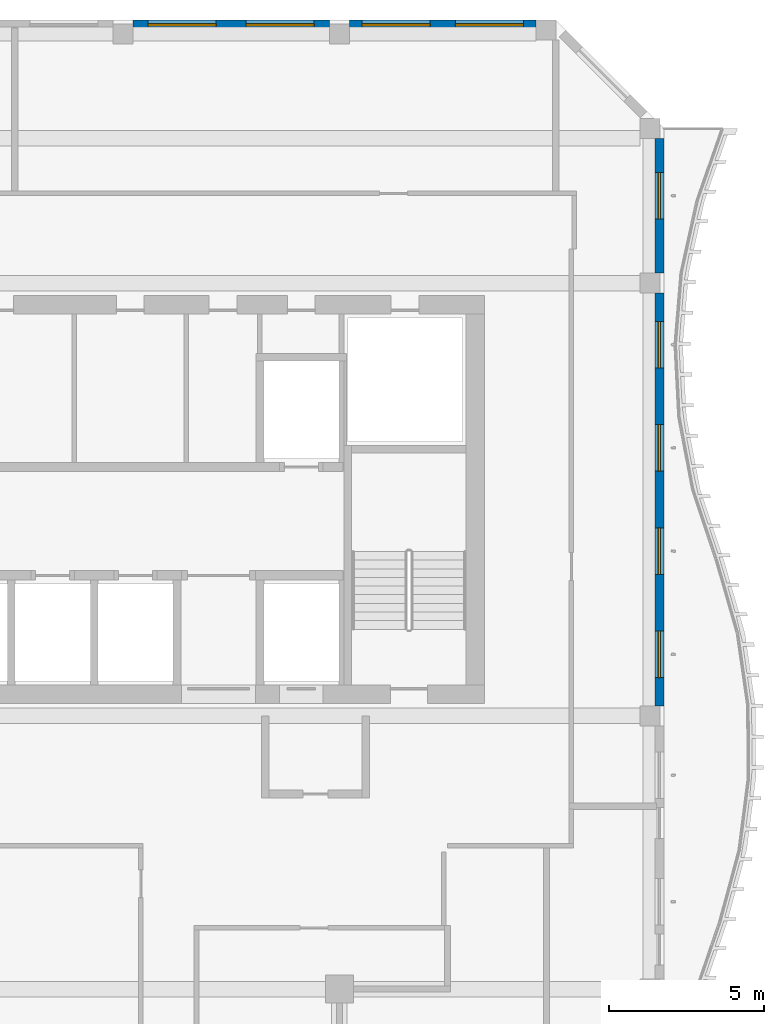
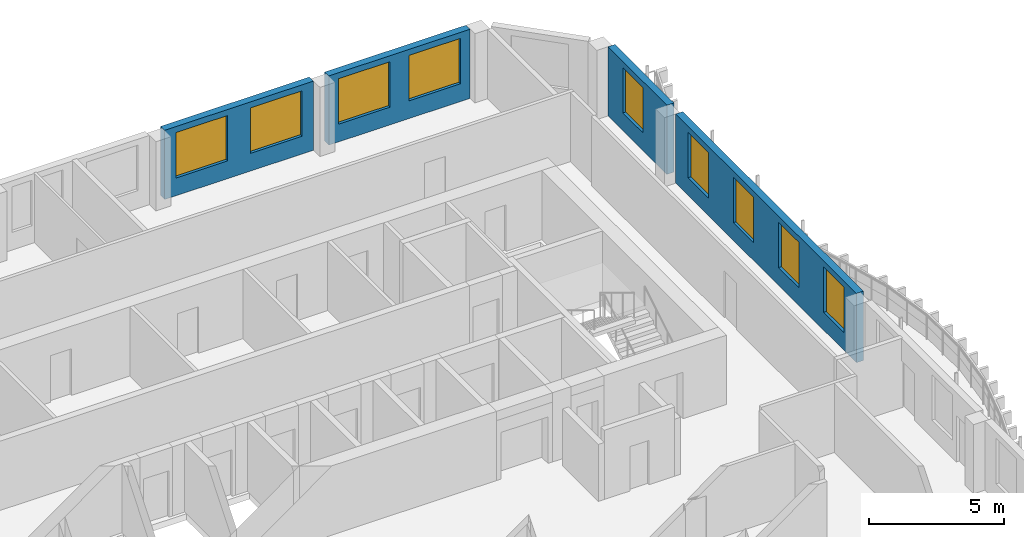
# One storey, part 9 of 16: 9 windows, 4 walls, 9 openings.
"""IFC4 building model written with IfcOpenShell, lengths in metres."""

import ifcopenshell
import ifcopenshell.guid

model = None  # the IFC model being written
_history = None  # IfcOwnerHistory: only IFC2X3 demands one
_inside = {}  # id of a spatial element -> (the spatial element, [elements in it])
_under = {}  # id of a project, library or spatial element -> (it, [spatial elements below it])
_declared = {}  # id of a project -> (the project, [libraries it declares])
_typed = {}  # id of a type object -> (the type object, [elements of that type])
_made_of = {}  # id of a material, layer set ... -> (it, [elements and type objects made of it])


def new_model(schema):
    """Start an empty IFC model of exactly this schema.

    Asked for "IFC4X3", IfcOpenShell would pick the latest addendum, in which some entities
    have other attributes; the version numbers below select the first issue.
    IFC2X3 requires an IfcOwnerHistory on every rooted entity: one is made here for all.
    """
    global model, _history
    if schema == "IFC4X3":
        model = ifcopenshell.file(schema_version=(4, 3, 0, 0))
    else:
        model = ifcopenshell.file(schema=schema)
    _inside.clear()
    _under.clear()
    _declared.clear()
    _typed.clear()
    _made_of.clear()
    _history = None
    if model.schema == "IFC2X3":
        org = make("IfcOrganization", Name="unknown")
        user = make(
            "IfcPersonAndOrganization",
            ThePerson=make("IfcPerson", FamilyName="unknown"),
            TheOrganization=org,
        )
        app = make(
            "IfcApplication",
            ApplicationDeveloper=org,
            Version="unknown",
            ApplicationFullName="unknown",
            ApplicationIdentifier="unknown",
        )
        _history = make(
            "IfcOwnerHistory",
            OwningUser=user,
            OwningApplication=app,
            ChangeAction="ADDED",
            CreationDate=0,
        )
    return model


def make(cls, **values):
    """One entity of the class cls with the attributes given. An attribute that is None is left unset."""
    return model.create_entity(
        cls, **{name: value for name, value in values.items() if value is not None}
    )


def rooted(cls, **values):
    """An entity with a GlobalId (a new one), such as an element, a storey or a relation."""
    return make(cls, GlobalId=ifcopenshell.guid.new(), OwnerHistory=_history, **values)


def si_unit(unit_type, name, prefix=None):
    """IfcSIUnit, for example si_unit("LENGTHUNIT", "METRE", prefix="MILLI")."""
    return make("IfcSIUnit", UnitType=unit_type, Prefix=prefix, Name=name)


def assignment(units):
    """IfcUnitAssignment: the units of a project."""
    return None if units is None else make("IfcUnitAssignment", Units=units)


def point(xyz):
    """IfcCartesianPoint."""
    return None if xyz is None else make("IfcCartesianPoint", Coordinates=xyz)


def direction(xyz):
    """IfcDirection."""
    return None if xyz is None else make("IfcDirection", DirectionRatios=xyz)


def frame(location, z_axis=None, x_axis=None):
    """IfcAxis2Placement3D, a coordinate frame: its origin and axes. An axis left out is left unset."""
    return make(
        "IfcAxis2Placement3D",
        Location=point(location),
        Axis=direction(z_axis),
        RefDirection=direction(x_axis),
    )


def frame_2d(location, x_axis=None):
    """IfcAxis2Placement2D, a coordinate frame in the plane: its origin and x axis."""
    return make(
        "IfcAxis2Placement2D", Location=point(location), RefDirection=direction(x_axis)
    )


def origin():
    """The frame at (0, 0, 0) with its axes left unset."""
    return frame((0.0, 0.0, 0.0))


def place(relative_to, where):
    """IfcLocalPlacement: puts the frame where relative to a parent placement (None: the world)."""
    return make(
        "IfcLocalPlacement", PlacementRelTo=relative_to, RelativePlacement=where
    )


def context(
    kind, dimensions, precision=None, world=None, true_north=None, identifier=None
):
    """IfcGeometricRepresentationContext, for example the 3D "Model" context."""
    return make(
        "IfcGeometricRepresentationContext",
        ContextIdentifier=identifier,
        ContextType=kind,
        CoordinateSpaceDimension=dimensions,
        Precision=precision,
        WorldCoordinateSystem=world,
        TrueNorth=true_north,
    )


def subcontext(parent, identifier, kind, view, scale=None):
    """IfcGeometricRepresentationSubContext, for example "Body" below "Model"."""
    return make(
        "IfcGeometricRepresentationSubContext",
        ContextIdentifier=identifier,
        ContextType=kind,
        ParentContext=parent,
        TargetScale=scale,
        TargetView=view,
    )


def project(units=None, contexts=None):
    """IfcProject with its units and contexts."""
    return rooted(
        "IfcProject",
        Name="project",
        RepresentationContexts=contexts,
        UnitsInContext=assignment(units),
    )


def spatial(cls, under=None, at=None, **own):
    """A site, building, storey or space (cls), placed at a placement, below another one or the project."""
    s = rooted(cls, ObjectPlacement=at, **own)
    if under is not None:
        _under.setdefault(under.id(), (under, []))[1].append(s)
    return s


def profile(cls, at=None, kind="AREA", **sizes):
    """A parametric profile (cls). Its sizes go by their IFC names, for example OverallWidth=200.0."""
    return make(cls, ProfileType=kind, Position=at, **sizes)


def rectangle(**sizes):
    """IfcRectangleProfileDef."""
    return profile("IfcRectangleProfileDef", **sizes)


def extrude(swept, where, along, depth):
    """IfcExtrudedAreaSolid: the profile swept, set in the frame where, extruded along a direction by depth."""
    return make(
        "IfcExtrudedAreaSolid",
        SweptArea=swept,
        Position=where,
        ExtrudedDirection=direction(along),
        Depth=depth,
    )


def shape(context_of_items, identifier, shape_type, items):
    """IfcShapeRepresentation: the items that make up one representation, for example the "Body"."""
    return make(
        "IfcShapeRepresentation",
        ContextOfItems=context_of_items,
        RepresentationIdentifier=identifier,
        RepresentationType=shape_type,
        Items=items,
    )


def source(mapping_origin, context_of_items, identifier, shape_type, items):
    """IfcRepresentationMap: a shape defined once, which mapped items show again and again."""
    return make(
        "IfcRepresentationMap",
        MappingOrigin=mapping_origin,
        MappedRepresentation=shape(context_of_items, identifier, shape_type, items),
    )


def transform(
    local_origin,
    x_axis=None,
    y_axis=None,
    z_axis=None,
    scale=None,
    scale2=None,
    scale3=None,
    uniform=True,
):
    """IfcCartesianTransformationOperator3D, or its non-uniform kind. x_axis, y_axis, z_axis: its Axis1, 2, 3."""
    if uniform:
        return make(
            "IfcCartesianTransformationOperator3D",
            Axis1=direction(x_axis),
            Axis2=direction(y_axis),
            LocalOrigin=point(local_origin),
            Scale=scale,
            Axis3=direction(z_axis),
        )
    return make(
        "IfcCartesianTransformationOperator3DnonUniform",
        Axis1=direction(x_axis),
        Axis2=direction(y_axis),
        LocalOrigin=point(local_origin),
        Scale=scale,
        Axis3=direction(z_axis),
        Scale2=scale2,
        Scale3=scale3,
    )


def mapped(mapping_source, mapping_target):
    """IfcMappedItem: shows the shape of a source again, moved by a transform."""
    return make(
        "IfcMappedItem", MappingSource=mapping_source, MappingTarget=mapping_target
    )


def material(Name=None, Category=None):
    """IfcMaterial."""
    return make("IfcMaterial", Name=Name, Category=Category)


def layer(
    of_material, thickness, ventilated=None, Name=None, Category=None, Priority=None
):
    """IfcMaterialLayer: one layer of a wall or slab, of a material (None: an air gap)."""
    return make(
        "IfcMaterialLayer",
        Material=of_material,
        LayerThickness=thickness,
        IsVentilated=ventilated,
        Name=Name,
        Category=Category,
        Priority=Priority,
    )


def layer_set(layers, Name=None):
    """IfcMaterialLayerSet."""
    return make("IfcMaterialLayerSet", MaterialLayers=layers, LayerSetName=Name)


def made_of(thing, what):
    """Note that an element or type object is made of a material, layer set ...; save() writes the relation."""
    if what is not None:
        _made_of.setdefault(what.id(), (what, []))[1].append(thing)
    return thing


def type_object(cls, material=None, **own):
    """A type object (cls), such as IfcWallType, which elements share."""
    return made_of(rooted(cls, **own), material)


def element(
    cls,
    number,
    at=None,
    inside=None,
    cuts=None,
    type_object=None,
    material=None,
    context=None,
    identifier="Body",
    shape_type=None,
    held_by="IfcProductDefinitionShape",
    body=None,
    shapes=None,
    **own,
):
    """One element of the class cls, such as IfcWall. Its Tag is "e" and its number.

    at: its placement. inside: the storey or other place that contains it. cuts: it is an
    opening in that element (IfcRelVoidsElement). A single representation is given by context,
    identifier, shape_type and body (its items); several are given by shapes. held_by: the class
    of the entity that holds the representations. save() writes the other relations.
    """
    e = rooted(cls, Tag="e%d" % number, ObjectPlacement=at, **own)
    if body is not None:
        shapes = [shape(context, identifier, shape_type, body)]
    if shapes is not None:
        e.Representation = make(held_by, Representations=shapes)
    if inside is not None:
        _inside.setdefault(inside.id(), (inside, []))[1].append(e)
    if cuts is not None:
        rooted(
            "IfcRelVoidsElement", RelatingBuildingElement=cuts, RelatedOpeningElement=e
        )
    if type_object is not None:
        _typed.setdefault(type_object.id(), (type_object, []))[1].append(e)
    return made_of(e, material)


def fill(opening, filler):
    """IfcRelFillsElement: the door or window that sits in an opening."""
    return rooted(
        "IfcRelFillsElement",
        RelatingOpeningElement=opening,
        RelatedBuildingElement=filler,
    )


def aggregate(whole, parts):
    """IfcRelAggregates: a whole, such as a stair, and the parts it consists of."""
    return rooted("IfcRelAggregates", RelatingObject=whole, RelatedObjects=parts)


def save(model, path):
    """Write the relations noted so far, then the file.

    IfcRelAggregates (storeys below a building ...), IfcRelContainedInSpatialStructure (elements
    in a storey), IfcRelDefinesByType, IfcRelAssociatesMaterial and IfcRelDeclares: one each for
    every whole, place, type object, material and project.
    """
    for whole, parts in _under.values():
        aggregate(whole, parts)
    for where, things in _inside.values():
        rooted(
            "IfcRelContainedInSpatialStructure",
            RelatedElements=things,
            RelatingStructure=where,
        )
    for kind, things in _typed.values():
        rooted("IfcRelDefinesByType", RelatedObjects=things, RelatingType=kind)
    for what, things in _made_of.values():
        rooted("IfcRelAssociatesMaterial", RelatedObjects=things, RelatingMaterial=what)
    for by, libraries in _declared.values():
        rooted("IfcRelDeclares", RelatingContext=by, RelatedDefinitions=libraries)
    model.write(path)


model = new_model("IFC4")

# Units and contexts
model_context = context("Model", 3, precision=1e-05, world=origin(), true_north=direction((0.0, 1.0)))
body_context = subcontext(model_context, "Body", "Model", "MODEL_VIEW")
ifc_project = project(units=[si_unit("LENGTHUNIT", "METRE"), si_unit("AREAUNIT", "SQUARE_METRE"), si_unit("VOLUMEUNIT", "CUBIC_METRE"), si_unit("PLANEANGLEUNIT", "RADIAN"), si_unit("MASSUNIT", "GRAM", prefix="KILO")], contexts=[model_context])

# Site, building, storey
site_placement = place(None, origin())
site = spatial("IfcSite", under=ifc_project, at=site_placement, CompositionType="ELEMENT")
building_placement = place(site_placement, origin())
building = spatial("IfcBuilding", under=site, at=building_placement, Name="Kilnfold Tower and Market Hall", CompositionType="ELEMENT")
storey_placement = place(building_placement, frame((0.0, 0.0, 284.0)))
storey = spatial("IfcBuildingStorey", under=building, at=storey_placement, Name="L70", CompositionType="ELEMENT", Elevation=284.0)

# Wall, openings, windows
ifc_material_1 = material(Name="Precast concrete C50/60", Category="concrete")
ifc_layer = layer(ifc_material_1, 0.300048828125)
ifc_layer_set = layer_set([ifc_layer], Name="Precast concrete C50/60")
wall_type = type_object("IfcWallType", Name="PRECAST WALL 300", PredefinedType="SOLIDWALL", material=ifc_layer_set)
shared_shape_1 = source(origin(), body_context, "Body", "SweptSolid", [
    extrude(rectangle(XDim=6.35009765625, YDim=0.300048828125, at=frame_2d((3.175048828125, 0.0))), origin(), (0.0, 0.0, 1.0), 3.1201171875),
])
wall_1_placement = place(storey_placement, frame((12.675048828125, 30.35009765625, 0.0), z_axis=(0.0, 0.0, 1.0), x_axis=(-1.0, 0.0, 0.0)))
wall_1 = element("IfcWall", 1, at=wall_1_placement, inside=storey, type_object=wall_type, Name="External wall L70 N", PredefinedType="SOLIDWALL", context=body_context, shape_type="MappedRepresentation", body=[
    mapped(shared_shape_1, transform((0.0, 0.0, 0.0))),
])
opening_1_placement = place(wall_1_placement, frame((0.487548828125, 0.0, 0.800048828125)))
opening_1 = element("IfcOpeningElement", 2, at=opening_1_placement, cuts=wall_1, Name="Opening W3", PredefinedType="OPENING", context=body_context, shape_type="SweptSolid", body=[
    extrude(rectangle(XDim=2.199951171875, YDim=2.050048828125, at=frame_2d((1.10009765625, 1.02490234375))), frame((0.0, 0.16015625, 0.0), z_axis=(0.0, -1.0, 0.0), x_axis=(1.0, 0.0, 0.0)), (0.0, 0.0, 1.0), 0.320068359375),
])
opening_2_placement = place(wall_1_placement, frame((3.66259765625, 0.0, 0.800048828125)))
opening_2 = element("IfcOpeningElement", 3, at=opening_2_placement, cuts=wall_1, Name="Opening W3", PredefinedType="OPENING", context=body_context, shape_type="SweptSolid", body=[
    extrude(rectangle(XDim=2.199951171875, YDim=2.050048828125, at=frame_2d((1.10009765625, 1.02490234375))), frame((0.0, 0.16015625, 0.0), z_axis=(0.0, -1.0, 0.0), x_axis=(1.0, 0.0, 0.0)), (0.0, 0.0, 1.0), 0.320068359375),
])
ifc_material_2 = material(Name="Aluminium frame and double glazing", Category="aluminium")
window_type_1 = type_object("IfcWindowType", Name="WINDOW W3 2200X2050", PartitioningType="SINGLE_PANEL", PredefinedType="WINDOW", material=ifc_material_2)
window_1_placement = place(opening_1_placement, origin())
window_1 = element("IfcWindow", 4, at=window_1_placement, inside=storey, type_object=window_type_1, Name="Window W3 L70 N-1", OverallHeight=2.050048828125, OverallWidth=2.199951171875, PartitioningType="SINGLE_PANEL", PredefinedType="WINDOW", context=body_context, shape_type="SweptSolid", body=[
    extrude(rectangle(XDim=2.199951171875, YDim=2.050048828125, at=frame_2d((1.10009765625, 1.02490234375))), frame((0.0, 0.030029296875, 0.0), z_axis=(0.0, -1.0, 0.0), x_axis=(1.0, 0.0, 0.0)), (0.0, 0.0, 1.0), 0.06005859375),
])
fill(opening_1, window_1)
window_2_placement = place(opening_2_placement, origin())
window_2 = element("IfcWindow", 5, at=window_2_placement, inside=storey, type_object=window_type_1, Name="Window W3 L70 N-2", OverallHeight=2.050048828125, OverallWidth=2.199951171875, PartitioningType="SINGLE_PANEL", PredefinedType="WINDOW", context=body_context, shape_type="SweptSolid", body=[
    extrude(rectangle(XDim=2.199951171875, YDim=2.050048828125, at=frame_2d((1.10009765625, 1.02490234375))), frame((0.0, 0.030029296875, 0.0), z_axis=(0.0, -1.0, 0.0), x_axis=(1.0, 0.0, 0.0)), (0.0, 0.0, 1.0), 0.06005859375),
])
fill(opening_2, window_2)

shared_shape_2 = source(origin(), body_context, "Body", "SweptSolid", [
    extrude(rectangle(XDim=13.35009765625, YDim=0.300048828125, at=frame_2d((6.675048828125, 0.0))), origin(), (0.0, 0.0, 1.0), 3.1201171875),
])
wall_2_placement = place(storey_placement, frame((23.35009765625, 8.324951171875, 0.0), z_axis=(0.0, 0.0, 1.0), x_axis=(0.0, 1.0, 0.0)))
wall_2 = element("IfcWall", 6, at=wall_2_placement, inside=storey, type_object=wall_type, Name="External wall L70 E", PredefinedType="SOLIDWALL", context=body_context, shape_type="MappedRepresentation", body=[
    mapped(shared_shape_2, transform((0.0, 0.0, 0.0))),
])
opening_3_placement = place(wall_2_placement, frame((0.918701171875, 0.0, 0.800048828125)))
opening_3 = element("IfcOpeningElement", 7, at=opening_3_placement, cuts=wall_2, Name="Opening W5", PredefinedType="OPENING", context=body_context, shape_type="SweptSolid", body=[
    extrude(rectangle(XDim=1.5, YDim=2.050048828125, at=frame_2d((0.75, 1.02490234375))), frame((0.0, 0.16015625, 0.0), z_axis=(0.0, -1.0, 0.0), x_axis=(1.0, 0.0, 0.0)), (0.0, 0.0, 1.0), 0.320068359375),
])
opening_4_placement = place(wall_2_placement, frame((4.25634765625, 0.0, 0.800048828125)))
opening_4 = element("IfcOpeningElement", 8, at=opening_4_placement, cuts=wall_2, Name="Opening W5", PredefinedType="OPENING", context=body_context, shape_type="SweptSolid", body=[
    extrude(rectangle(XDim=1.5, YDim=2.050048828125, at=frame_2d((0.75, 1.02490234375))), frame((0.0, 0.16015625, 0.0), z_axis=(0.0, -1.0, 0.0), x_axis=(1.0, 0.0, 0.0)), (0.0, 0.0, 1.0), 0.320068359375),
])
opening_5_placement = place(wall_2_placement, frame((7.59375, 0.0, 0.800048828125)))
opening_5 = element("IfcOpeningElement", 9, at=opening_5_placement, cuts=wall_2, Name="Opening W5", PredefinedType="OPENING", context=body_context, shape_type="SweptSolid", body=[
    extrude(rectangle(XDim=1.5, YDim=2.050048828125, at=frame_2d((0.75, 1.02490234375))), frame((0.0, 0.16015625, 0.0), z_axis=(0.0, -1.0, 0.0), x_axis=(1.0, 0.0, 0.0)), (0.0, 0.0, 1.0), 0.320068359375),
])
opening_6_placement = place(wall_2_placement, frame((10.93115234375, 0.0, 0.800048828125)))
opening_6 = element("IfcOpeningElement", 10, at=opening_6_placement, cuts=wall_2, Name="Opening W5", PredefinedType="OPENING", context=body_context, shape_type="SweptSolid", body=[
    extrude(rectangle(XDim=1.5, YDim=2.050048828125, at=frame_2d((0.75, 1.02490234375))), frame((0.0, 0.16015625, 0.0), z_axis=(0.0, -1.0, 0.0), x_axis=(1.0, 0.0, 0.0)), (0.0, 0.0, 1.0), 0.320068359375),
])
ifc_material_3 = material(Name="Aluminium frame and double glazing", Category="aluminium")
window_type_2 = type_object("IfcWindowType", Name="WINDOW W5 1500X2050", PartitioningType="SINGLE_PANEL", PredefinedType="WINDOW", material=ifc_material_3)
window_3_placement = place(opening_3_placement, origin())
window_3 = element("IfcWindow", 11, at=window_3_placement, inside=storey, type_object=window_type_2, Name="Window W5 L70 E-1", OverallHeight=2.050048828125, OverallWidth=1.5, PartitioningType="SINGLE_PANEL", PredefinedType="WINDOW", context=body_context, shape_type="SweptSolid", body=[
    extrude(rectangle(XDim=1.5, YDim=2.050048828125, at=frame_2d((0.75, 1.02490234375))), frame((0.0, 0.030029296875, 0.0), z_axis=(0.0, -1.0, 0.0), x_axis=(1.0, 0.0, 0.0)), (0.0, 0.0, 1.0), 0.06005859375),
])
fill(opening_3, window_3)
window_4_placement = place(opening_4_placement, origin())
window_4 = element("IfcWindow", 12, at=window_4_placement, inside=storey, type_object=window_type_2, Name="Window W5 L70 E-2", OverallHeight=2.050048828125, OverallWidth=1.5, PartitioningType="SINGLE_PANEL", PredefinedType="WINDOW", context=body_context, shape_type="SweptSolid", body=[
    extrude(rectangle(XDim=1.5, YDim=2.050048828125, at=frame_2d((0.75, 1.02490234375))), frame((0.0, 0.030029296875, 0.0), z_axis=(0.0, -1.0, 0.0), x_axis=(1.0, 0.0, 0.0)), (0.0, 0.0, 1.0), 0.06005859375),
])
fill(opening_4, window_4)
window_5_placement = place(opening_5_placement, origin())
window_5 = element("IfcWindow", 13, at=window_5_placement, inside=storey, type_object=window_type_2, Name="Window W5 L70 E-3", OverallHeight=2.050048828125, OverallWidth=1.5, PartitioningType="SINGLE_PANEL", PredefinedType="WINDOW", context=body_context, shape_type="SweptSolid", body=[
    extrude(rectangle(XDim=1.5, YDim=2.050048828125, at=frame_2d((0.75, 1.02490234375))), frame((0.0, 0.030029296875, 0.0), z_axis=(0.0, -1.0, 0.0), x_axis=(1.0, 0.0, 0.0)), (0.0, 0.0, 1.0), 0.06005859375),
])
fill(opening_5, window_5)
window_6_placement = place(opening_6_placement, origin())
window_6 = element("IfcWindow", 14, at=window_6_placement, inside=storey, type_object=window_type_2, Name="Window W5 L70 E-4", OverallHeight=2.050048828125, OverallWidth=1.5, PartitioningType="SINGLE_PANEL", PredefinedType="WINDOW", context=body_context, shape_type="SweptSolid", body=[
    extrude(rectangle(XDim=1.5, YDim=2.050048828125, at=frame_2d((0.75, 1.02490234375))), frame((0.0, 0.030029296875, 0.0), z_axis=(0.0, -1.0, 0.0), x_axis=(1.0, 0.0, 0.0)), (0.0, 0.0, 1.0), 0.06005859375),
])
fill(opening_6, window_6)

# Wall, opening, window
shared_shape_3 = source(origin(), body_context, "Body", "SweptSolid", [
    extrude(rectangle(XDim=4.35009765625, YDim=0.300048828125, at=frame_2d((2.175048828125, 0.0))), origin(), (0.0, 0.0, 1.0), 3.1201171875),
])
wall_3_placement = place(storey_placement, frame((23.35009765625, 22.324951171875, 0.0), z_axis=(0.0, 0.0, 1.0), x_axis=(0.0, 1.0, 0.0)))
wall_3 = element("IfcWall", 15, at=wall_3_placement, inside=storey, type_object=wall_type, Name="External wall L70 E", PredefinedType="SOLIDWALL", context=body_context, shape_type="MappedRepresentation", body=[
    mapped(shared_shape_3, transform((0.0, 0.0, 0.0))),
])
opening_7_placement = place(wall_3_placement, frame((1.75, 0.0, 0.800048828125)))
opening_7 = element("IfcOpeningElement", 16, at=opening_7_placement, cuts=wall_3, Name="Opening W5", PredefinedType="OPENING", context=body_context, shape_type="SweptSolid", body=[
    extrude(rectangle(XDim=1.5, YDim=2.050048828125, at=frame_2d((0.75, 1.02490234375))), frame((0.0, 0.16015625, 0.0), z_axis=(0.0, -1.0, 0.0), x_axis=(1.0, 0.0, 0.0)), (0.0, 0.0, 1.0), 0.320068359375),
])
window_7_placement = place(opening_7_placement, origin())
window_7 = element("IfcWindow", 17, at=window_7_placement, inside=storey, type_object=window_type_2, Name="Window W5 L70 E-1", OverallHeight=2.050048828125, OverallWidth=1.5, PartitioningType="SINGLE_PANEL", PredefinedType="WINDOW", context=body_context, shape_type="SweptSolid", body=[
    extrude(rectangle(XDim=1.5, YDim=2.050048828125, at=frame_2d((0.75, 1.02490234375))), frame((0.0, 0.030029296875, 0.0), z_axis=(0.0, -1.0, 0.0), x_axis=(1.0, 0.0, 0.0)), (0.0, 0.0, 1.0), 0.06005859375),
])
fill(opening_7, window_7)

# Wall, openings, windows
shared_shape_4 = source(origin(), body_context, "Body", "SweptSolid", [
    extrude(rectangle(XDim=6.03173828125, YDim=0.300048828125, at=frame_2d((3.015869140625, 0.0))), origin(), (0.0, 0.0, 1.0), 3.1201171875),
])
wall_4_placement = place(storey_placement, frame((19.356689453125, 30.35009765625, 0.0), z_axis=(0.0, 0.0, 1.0), x_axis=(-1.0, 0.0, 0.0)))
wall_4 = element("IfcWall", 18, at=wall_4_placement, inside=storey, type_object=wall_type, Name="External wall L70 N", PredefinedType="SOLIDWALL", context=body_context, shape_type="MappedRepresentation", body=[
    mapped(shared_shape_4, transform((0.0, 0.0, 0.0))),
])
opening_8_placement = place(wall_4_placement, frame((0.407958984375, 0.0, 0.800048828125)))
opening_8 = element("IfcOpeningElement", 19, at=opening_8_placement, cuts=wall_4, Name="Opening W3", PredefinedType="OPENING", context=body_context, shape_type="SweptSolid", body=[
    extrude(rectangle(XDim=2.199951171875, YDim=2.050048828125, at=frame_2d((1.10009765625, 1.02490234375))), frame((0.0, 0.16015625, 0.0), z_axis=(0.0, -1.0, 0.0), x_axis=(1.0, 0.0, 0.0)), (0.0, 0.0, 1.0), 0.320068359375),
])
opening_9_placement = place(wall_4_placement, frame((3.423828125, 0.0, 0.800048828125)))
opening_9 = element("IfcOpeningElement", 20, at=opening_9_placement, cuts=wall_4, Name="Opening W3", PredefinedType="OPENING", context=body_context, shape_type="SweptSolid", body=[
    extrude(rectangle(XDim=2.199951171875, YDim=2.050048828125, at=frame_2d((1.10009765625, 1.02490234375))), frame((0.0, 0.16015625, 0.0), z_axis=(0.0, -1.0, 0.0), x_axis=(1.0, 0.0, 0.0)), (0.0, 0.0, 1.0), 0.320068359375),
])
window_8_placement = place(opening_8_placement, origin())
window_8 = element("IfcWindow", 21, at=window_8_placement, inside=storey, type_object=window_type_1, Name="Window W3 L70 N-1", OverallHeight=2.050048828125, OverallWidth=2.199951171875, PartitioningType="SINGLE_PANEL", PredefinedType="WINDOW", context=body_context, shape_type="SweptSolid", body=[
    extrude(rectangle(XDim=2.199951171875, YDim=2.050048828125, at=frame_2d((1.10009765625, 1.02490234375))), frame((0.0, 0.030029296875, 0.0), z_axis=(0.0, -1.0, 0.0), x_axis=(1.0, 0.0, 0.0)), (0.0, 0.0, 1.0), 0.06005859375),
])
fill(opening_8, window_8)
window_9_placement = place(opening_9_placement, origin())
window_9 = element("IfcWindow", 22, at=window_9_placement, inside=storey, type_object=window_type_1, Name="Window W3 L70 N-2", OverallHeight=2.050048828125, OverallWidth=2.199951171875, PartitioningType="SINGLE_PANEL", PredefinedType="WINDOW", context=body_context, shape_type="SweptSolid", body=[
    extrude(rectangle(XDim=2.199951171875, YDim=2.050048828125, at=frame_2d((1.10009765625, 1.02490234375))), frame((0.0, 0.030029296875, 0.0), z_axis=(0.0, -1.0, 0.0), x_axis=(1.0, 0.0, 0.0)), (0.0, 0.0, 1.0), 0.06005859375),
])
fill(opening_9, window_9)

save(model, "model.ifc")
